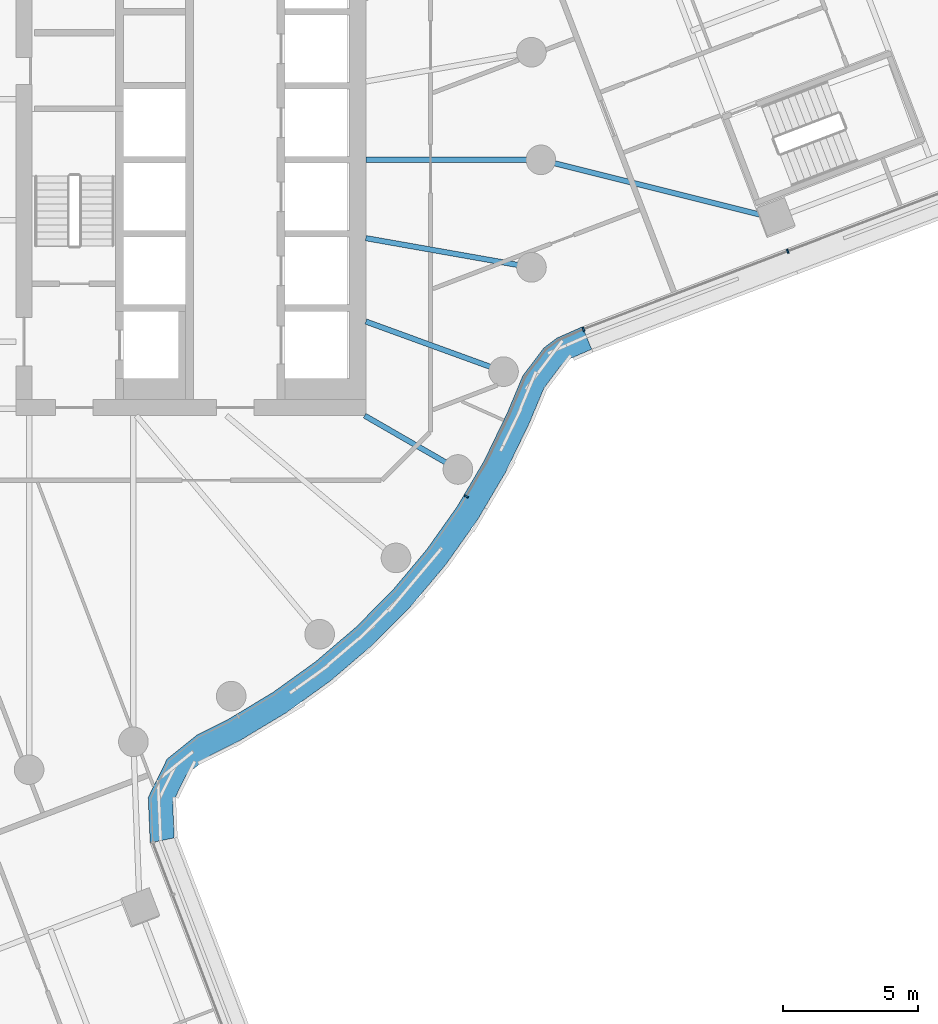
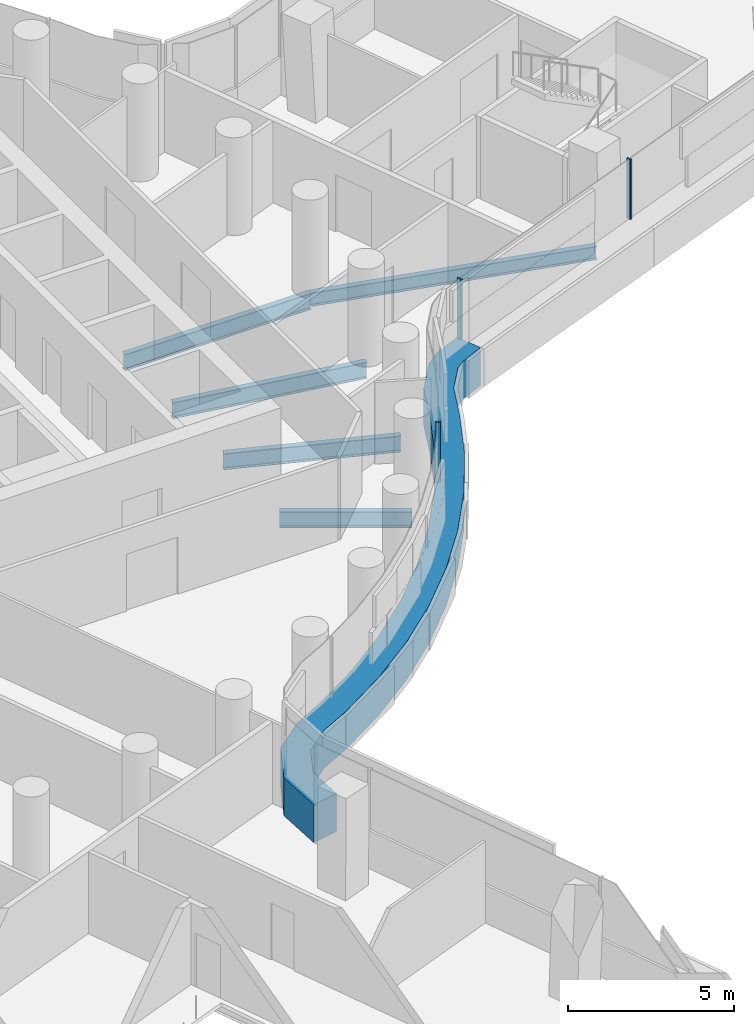
# One storey, part 10 of 32: 5 beams, 4 members, 2 elements without a shape of their own.
"""IFC4 building model written with IfcOpenShell, lengths in metres."""

from ifc_helpers import new_model, si_unit, direction, frame, origin, origin_2d, place, context, subcontext, project, spatial, polyline, rectangle, i_section, outline, extrude, material, layer, layer_set, material_profile, profile_set, type_object, element, aggregate, save


model = new_model("IFC4")

# Units and contexts
model_context = context("Model", 3, precision=1e-05, world=origin(), true_north=direction((0.0, 1.0)))
body_context = subcontext(model_context, "Body", "Model", "MODEL_VIEW")
ifc_project = project(units=[si_unit("LENGTHUNIT", "METRE"), si_unit("AREAUNIT", "SQUARE_METRE"), si_unit("VOLUMEUNIT", "CUBIC_METRE"), si_unit("PLANEANGLEUNIT", "RADIAN"), si_unit("MASSUNIT", "GRAM", prefix="KILO")], contexts=[model_context])

# Site, building, storey
site_placement = place(None, origin())
site = spatial("IfcSite", under=ifc_project, at=site_placement, CompositionType="ELEMENT")
building_placement = place(site_placement, origin())
building = spatial("IfcBuilding", under=site, at=building_placement, Name="Tamarind Cross Interchange Tower", CompositionType="ELEMENT")
storey_placement = place(building_placement, frame((0.0, 0.0, 109.75)))
storey = spatial("IfcBuildingStorey", under=building, at=storey_placement, Name="L26", CompositionType="ELEMENT", Elevation=109.75)

# Beams
ifc_material_1 = material(Name="Steel Q355B", Category="steel")
ifc_material_profile_1 = material_profile(ifc_material_1, i_section(OverallWidth=0.198974609375, OverallDepth=0.49609375, WebThickness=0.009033203125, FlangeThickness=0.013916015625, FilletRadius=0.012939453125, at=origin_2d()), Name="HN 496x199x9x14")
ifc_profile_set_1 = profile_set([ifc_material_profile_1], Name="Steel Q355B")
beam_type_1 = type_object("IfcBeamType", Name="Composite beam HN 496x199x9x14 Q355B", PredefinedType="BEAM", material=ifc_profile_set_1)
beam_1_placement = place(storey_placement, frame((31.7158203125, -2.177978515625, -0.387939453125), z_axis=(-0.970168071764, 0.242433315636, 0.0), x_axis=(-0.242433315636, -0.970168071764, 0.0)))
element("IfcBeam", 1, at=beam_1_placement, inside=storey, type_object=beam_type_1, Name="Beam E-linkem", PredefinedType="BEAM", context=body_context, shape_type="SweptSolid", body=[
    extrude(i_section(OverallWidth=0.198974609375, OverallDepth=0.49609375, WebThickness=0.009033203125, FlangeThickness=0.013916015625, FilletRadius=0.012939453125, at=origin_2d()), origin(), (0.0, 0.0, 1.0), 8.98388671875),
])
ifc_material_profile_2 = material_profile(ifc_material_1, i_section(OverallWidth=0.198974609375, OverallDepth=0.595947265625, WebThickness=0.010009765625, FlangeThickness=0.014892578125, FilletRadius=0.012939453125, at=origin_2d()), Name="HN 596x199x10x15")
ifc_profile_set_2 = profile_set([ifc_material_profile_2], Name="Steel Q355B")
beam_type_2 = type_object("IfcBeamType", Name="Composite beam HN 596x199x10x15 Q355B", PredefinedType="BEAM", material=ifc_profile_set_2)
beam_2_placement = place(storey_placement, frame((23.0, 0.0, -0.43798828125), z_axis=(-1.0, 0.0, 0.0), x_axis=(0.0, -1.0, 0.0)))
element("IfcBeam", 2, at=beam_2_placement, inside=storey, type_object=beam_type_2, Name="Beam HH00", PredefinedType="BEAM", context=body_context, shape_type="SweptSolid", body=[
    extrude(i_section(OverallWidth=0.198974609375, OverallDepth=0.595947265625, WebThickness=0.010009765625, FlangeThickness=0.014892578125, FilletRadius=0.012939453125, at=origin_2d()), origin(), (0.0, 0.0, 1.0), 6.5),
])
beam_3_placement = place(storey_placement, frame((19.918701171875, -11.5, -0.43798828125), z_axis=(-0.866026010844, 0.49999894854, 0.0), x_axis=(-0.49999894854, -0.866026010844, 0.0)))
element("IfcBeam", 3, at=beam_3_placement, inside=storey, type_object=beam_type_2, Name="Beam HH33", PredefinedType="BEAM", context=body_context, shape_type="SweptSolid", body=[
    extrude(i_section(OverallWidth=0.198974609375, OverallDepth=0.595947265625, WebThickness=0.010009765625, FlangeThickness=0.014892578125, FilletRadius=0.012939453125, at=origin_2d()), origin(), (0.0, 0.0, 1.0), 4.0),
])
beam_4_placement = place(storey_placement, frame((21.613037109375, -7.866455078125, -0.43798828125), z_axis=(-0.939701685589, 0.341995236956, 0.0), x_axis=(-0.341995236956, -0.939701685589, 0.0)))
element("IfcBeam", 4, at=beam_4_placement, inside=storey, type_object=beam_type_2, Name="Beam HH34", PredefinedType="BEAM", context=body_context, shape_type="SweptSolid", body=[
    extrude(i_section(OverallWidth=0.198974609375, OverallDepth=0.595947265625, WebThickness=0.010009765625, FlangeThickness=0.014892578125, FilletRadius=0.012939453125, at=origin_2d()), origin(), (0.0, 0.0, 1.0), 5.441162109375),
])
beam_5_placement = place(storey_placement, frame((22.650634765625, -3.993896484375, -0.43798828125), z_axis=(-0.984809127561, 0.173640382036, 0.0), x_axis=(-0.173640382036, -0.984809127561, 0.0)))
element("IfcBeam", 5, at=beam_5_placement, inside=storey, type_object=beam_type_2, Name="Beam HH35", PredefinedType="BEAM", context=body_context, shape_type="SweptSolid", body=[
    extrude(i_section(OverallWidth=0.198974609375, OverallDepth=0.595947265625, WebThickness=0.010009765625, FlangeThickness=0.014892578125, FilletRadius=0.012939453125, at=origin_2d()), origin(), (0.0, 0.0, 1.0), 6.24560546875),
])

# Curtain wall, members
ifc_material_2 = material(Name="Aluminium 6063-T6", Category="aluminium")
ifc_layer = layer(ifc_material_2, 0.159912109375)
ifc_layer_set = layer_set([ifc_layer], Name="Aluminium 6063-T6")
curtain_wall_type = type_object("IfcCurtainWallType", Name="Office curtain wall, 9.0 m bays", PredefinedType="NOTDEFINED", material=ifc_layer_set)
curtain_wall_1_placement = place(storey_placement, origin())
curtain_wall_1 = element("IfcCurtainWall", 6, at=curtain_wall_1_placement, inside=storey, type_object=curtain_wall_type, Name="CWS-L26-06", PredefinedType="NOTDEFINED")
ifc_material_3 = material(Name="Aluminium and insulated spandrel panel", Category="aluminium")
member_type_1 = type_object("IfcMemberType", Name="Floor-edge blade transom", PredefinedType="USERDEFINED", material=ifc_material_3)
member_1_placement = place(storey_placement, origin())
member_1 = element("IfcMember", 7, at=member_1_placement, type_object=member_type_1, Name="CWT-L26-06", ObjectType="TRANSOM", PredefinedType="USERDEFINED", context=body_context, shape_type="SweptSolid", body=[
    extrude(outline(polyline([(8.4892578125, -25.366455078125), (8.417236328125, -23.677734375), (9.116455078125, -22.2568359375), (10.234619140625, -21.3544921875), (11.3671875, -20.791259765625), (13.045654296875, -19.78125), (14.634521484375, -18.636474609375), (16.12353515625, -17.3642578125), (17.50244140625, -15.973388671875), (18.76171875, -14.4736328125), (19.892822265625, -12.874755859375), (20.88818359375, -11.188232421875), (21.74267578125, -9.421142578125), (22.330322265625, -8.0185546875), (23.1064453125, -6.9892578125), (23.590087890625, -6.62109375), (24.543212890625, -6.20068359375), (24.885498046875, -7.033447265625), (24.050537109375, -7.401611328125), (23.75048828125, -7.6298828125), (23.116943359375, -8.470458984375), (22.563232421875, -9.791259765625), (21.68212890625, -11.613525390625), (20.64892578125, -13.3642578125), (19.474853515625, -15.023681640625), (18.167724609375, -16.580810546875), (16.736572265625, -18.0244140625), (15.19091796875, -19.344970703125), (13.54150390625, -20.533203125), (11.80029296875, -21.5810546875), (10.723388671875, -22.116455078125), (9.836181640625, -22.83251953125), (9.326171875, -23.869140625), (9.38232421875, -25.182861328125), (8.4892578125, -25.366455078125)])), origin(), (0.0, 0.0, 1.0), 1.39990234375),
])
ifc_material_profile_3 = material_profile(ifc_material_2, rectangle(XDim=0.06005859375, YDim=0.159912109375, at=origin_2d()), Name="Mullion CW1")
ifc_profile_set_3 = profile_set([ifc_material_profile_3], Name="Aluminium 6063-T6")
member_type_2 = type_object("IfcMemberType", Name="Mullion CW1", PredefinedType="MULLION", material=ifc_profile_set_3)
member_2_placement = place(storey_placement, frame((20.23046875, -12.49951171875, 1.39990234375), z_axis=(0.0, 0.0, 1.0), x_axis=(0.508183308752, 0.861248933065, 0.0)))
member_2 = element("IfcMember", 8, at=member_2_placement, type_object=member_type_2, Name="CWM-L26-06-02", PredefinedType="MULLION", context=body_context, shape_type="SweptSolid", body=[
    extrude(rectangle(XDim=0.06005859375, YDim=0.159912109375, at=origin_2d()), origin(), (0.0, 0.0, 1.0), 2.210205078125),
])
aggregate(curtain_wall_1, [member_2, member_1])

curtain_wall_2_placement = place(storey_placement, origin())
curtain_wall_2 = element("IfcCurtainWall", 9, at=curtain_wall_2_placement, inside=storey, type_object=curtain_wall_type, Name="CWS-L26-07", PredefinedType="NOTDEFINED")
member_3_placement = place(storey_placement, frame((24.5810546875, -6.293212890625, 1.39990234375), z_axis=(0.0, 0.0, 1.0), x_axis=(0.924918487017, 0.380165480252, 0.0)))
member_3 = element("IfcMember", 10, at=member_3_placement, type_object=member_type_2, Name="CWM-L26-07-00", PredefinedType="MULLION", context=body_context, shape_type="SweptSolid", body=[
    extrude(rectangle(XDim=0.06005859375, YDim=0.159912109375, at=origin_2d()), origin(), (0.0, 0.0, 1.0), 2.210205078125),
])
member_4_placement = place(storey_placement, frame((32.168212890625, -3.396728515625, 1.39990234375), z_axis=(0.0, 0.0, 1.0), x_axis=(0.934229377055, 0.356672778674, 0.0)))
member_4 = element("IfcMember", 11, at=member_4_placement, type_object=member_type_2, Name="CWM-L26-07-01", PredefinedType="MULLION", context=body_context, shape_type="SweptSolid", body=[
    extrude(rectangle(XDim=0.06005859375, YDim=0.159912109375, at=origin_2d()), origin(), (0.0, 0.0, 1.0), 2.210205078125),
])
aggregate(curtain_wall_2, [member_3, member_4])

save(model, "model.ifc")
